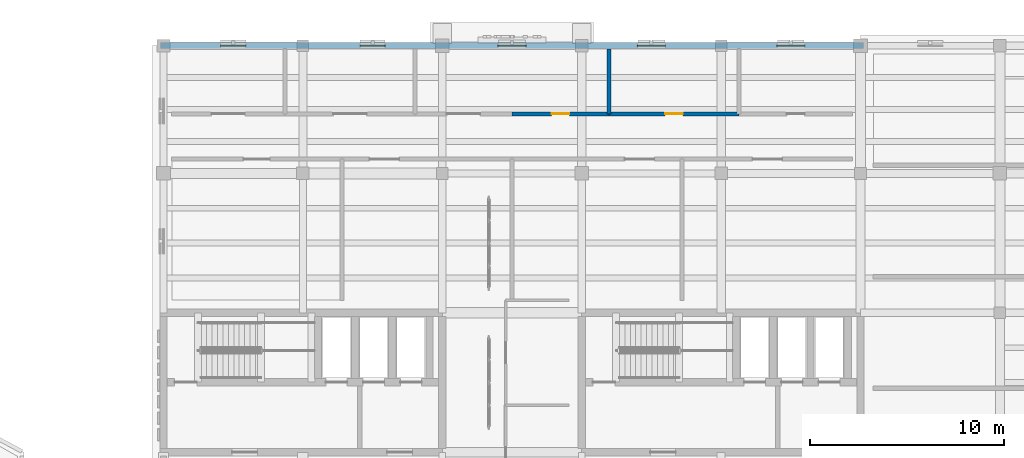
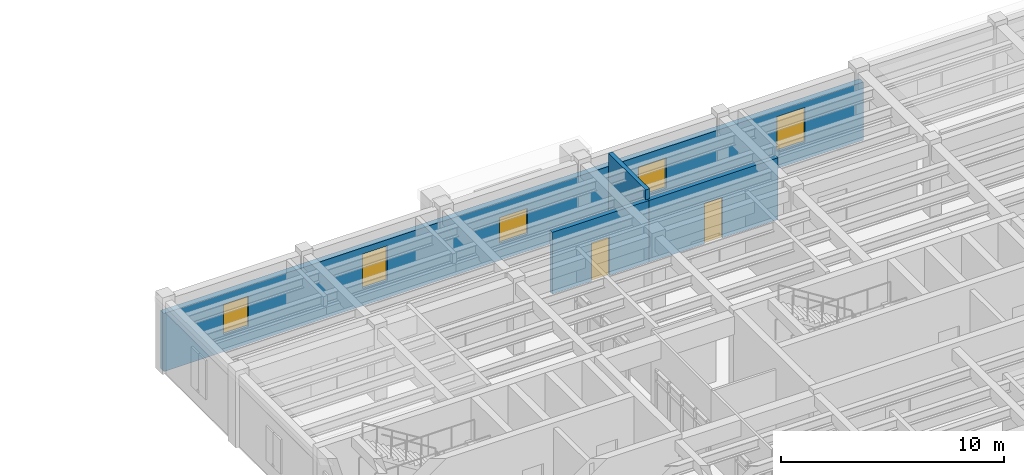
# One storey, part 50 of 66: 5 windows, 4 walls, 2 doors, 7 openings.
"""IFC4 building model written with IfcOpenShell, lengths in metres."""

import ifcopenshell
import ifcopenshell.guid

model = None  # the IFC model being written
_history = None  # IfcOwnerHistory: only IFC2X3 demands one
_inside = {}  # id of a spatial element -> (the spatial element, [elements in it])
_under = {}  # id of a project, library or spatial element -> (it, [spatial elements below it])
_declared = {}  # id of a project -> (the project, [libraries it declares])
_typed = {}  # id of a type object -> (the type object, [elements of that type])
_made_of = {}  # id of a material, layer set ... -> (it, [elements and type objects made of it])


def new_model(schema):
    """Start an empty IFC model of exactly this schema.

    Asked for "IFC4X3", IfcOpenShell would pick the latest addendum, in which some entities
    have other attributes; the version numbers below select the first issue.
    IFC2X3 requires an IfcOwnerHistory on every rooted entity: one is made here for all.
    """
    global model, _history
    if schema == "IFC4X3":
        model = ifcopenshell.file(schema_version=(4, 3, 0, 0))
    else:
        model = ifcopenshell.file(schema=schema)
    _inside.clear()
    _under.clear()
    _declared.clear()
    _typed.clear()
    _made_of.clear()
    _history = None
    if model.schema == "IFC2X3":
        org = make("IfcOrganization", Name="unknown")
        user = make(
            "IfcPersonAndOrganization",
            ThePerson=make("IfcPerson", FamilyName="unknown"),
            TheOrganization=org,
        )
        app = make(
            "IfcApplication",
            ApplicationDeveloper=org,
            Version="unknown",
            ApplicationFullName="unknown",
            ApplicationIdentifier="unknown",
        )
        _history = make(
            "IfcOwnerHistory",
            OwningUser=user,
            OwningApplication=app,
            ChangeAction="ADDED",
            CreationDate=0,
        )
    return model


def make(cls, **values):
    """One entity of the class cls with the attributes given. An attribute that is None is left unset."""
    return model.create_entity(
        cls, **{name: value for name, value in values.items() if value is not None}
    )


def rooted(cls, **values):
    """An entity with a GlobalId (a new one), such as an element, a storey or a relation."""
    return make(cls, GlobalId=ifcopenshell.guid.new(), OwnerHistory=_history, **values)


def si_unit(unit_type, name, prefix=None):
    """IfcSIUnit, for example si_unit("LENGTHUNIT", "METRE", prefix="MILLI")."""
    return make("IfcSIUnit", UnitType=unit_type, Prefix=prefix, Name=name)


def assignment(units):
    """IfcUnitAssignment: the units of a project."""
    return None if units is None else make("IfcUnitAssignment", Units=units)


def point(xyz):
    """IfcCartesianPoint."""
    return None if xyz is None else make("IfcCartesianPoint", Coordinates=xyz)


def direction(xyz):
    """IfcDirection."""
    return None if xyz is None else make("IfcDirection", DirectionRatios=xyz)


def frame(location, z_axis=None, x_axis=None):
    """IfcAxis2Placement3D, a coordinate frame: its origin and axes. An axis left out is left unset."""
    return make(
        "IfcAxis2Placement3D",
        Location=point(location),
        Axis=direction(z_axis),
        RefDirection=direction(x_axis),
    )


def frame_2d(location, x_axis=None):
    """IfcAxis2Placement2D, a coordinate frame in the plane: its origin and x axis."""
    return make(
        "IfcAxis2Placement2D", Location=point(location), RefDirection=direction(x_axis)
    )


def origin():
    """The frame at (0, 0, 0) with its axes left unset."""
    return frame((0.0, 0.0, 0.0))


def place(relative_to, where):
    """IfcLocalPlacement: puts the frame where relative to a parent placement (None: the world)."""
    return make(
        "IfcLocalPlacement", PlacementRelTo=relative_to, RelativePlacement=where
    )


def context(
    kind, dimensions, precision=None, world=None, true_north=None, identifier=None
):
    """IfcGeometricRepresentationContext, for example the 3D "Model" context."""
    return make(
        "IfcGeometricRepresentationContext",
        ContextIdentifier=identifier,
        ContextType=kind,
        CoordinateSpaceDimension=dimensions,
        Precision=precision,
        WorldCoordinateSystem=world,
        TrueNorth=true_north,
    )


def subcontext(parent, identifier, kind, view, scale=None):
    """IfcGeometricRepresentationSubContext, for example "Body" below "Model"."""
    return make(
        "IfcGeometricRepresentationSubContext",
        ContextIdentifier=identifier,
        ContextType=kind,
        ParentContext=parent,
        TargetScale=scale,
        TargetView=view,
    )


def project(units=None, contexts=None):
    """IfcProject with its units and contexts."""
    return rooted(
        "IfcProject",
        Name="project",
        RepresentationContexts=contexts,
        UnitsInContext=assignment(units),
    )


def spatial(cls, under=None, at=None, **own):
    """A site, building, storey or space (cls), placed at a placement, below another one or the project."""
    s = rooted(cls, ObjectPlacement=at, **own)
    if under is not None:
        _under.setdefault(under.id(), (under, []))[1].append(s)
    return s


def profile(cls, at=None, kind="AREA", **sizes):
    """A parametric profile (cls). Its sizes go by their IFC names, for example OverallWidth=200.0."""
    return make(cls, ProfileType=kind, Position=at, **sizes)


def rectangle(**sizes):
    """IfcRectangleProfileDef."""
    return profile("IfcRectangleProfileDef", **sizes)


def extrude(swept, where, along, depth):
    """IfcExtrudedAreaSolid: the profile swept, set in the frame where, extruded along a direction by depth."""
    return make(
        "IfcExtrudedAreaSolid",
        SweptArea=swept,
        Position=where,
        ExtrudedDirection=direction(along),
        Depth=depth,
    )


def shape(context_of_items, identifier, shape_type, items):
    """IfcShapeRepresentation: the items that make up one representation, for example the "Body"."""
    return make(
        "IfcShapeRepresentation",
        ContextOfItems=context_of_items,
        RepresentationIdentifier=identifier,
        RepresentationType=shape_type,
        Items=items,
    )


def material(Name=None, Category=None):
    """IfcMaterial."""
    return make("IfcMaterial", Name=Name, Category=Category)


def layer(
    of_material, thickness, ventilated=None, Name=None, Category=None, Priority=None
):
    """IfcMaterialLayer: one layer of a wall or slab, of a material (None: an air gap)."""
    return make(
        "IfcMaterialLayer",
        Material=of_material,
        LayerThickness=thickness,
        IsVentilated=ventilated,
        Name=Name,
        Category=Category,
        Priority=Priority,
    )


def layer_set(layers, Name=None):
    """IfcMaterialLayerSet."""
    return make("IfcMaterialLayerSet", MaterialLayers=layers, LayerSetName=Name)


def made_of(thing, what):
    """Note that an element or type object is made of a material, layer set ...; save() writes the relation."""
    if what is not None:
        _made_of.setdefault(what.id(), (what, []))[1].append(thing)
    return thing


def type_object(cls, material=None, **own):
    """A type object (cls), such as IfcWallType, which elements share."""
    return made_of(rooted(cls, **own), material)


def element(
    cls,
    number,
    at=None,
    inside=None,
    cuts=None,
    type_object=None,
    material=None,
    context=None,
    identifier="Body",
    shape_type=None,
    held_by="IfcProductDefinitionShape",
    body=None,
    shapes=None,
    **own,
):
    """One element of the class cls, such as IfcWall. Its Tag is "e" and its number.

    at: its placement. inside: the storey or other place that contains it. cuts: it is an
    opening in that element (IfcRelVoidsElement). A single representation is given by context,
    identifier, shape_type and body (its items); several are given by shapes. held_by: the class
    of the entity that holds the representations. save() writes the other relations.
    """
    e = rooted(cls, Tag="e%d" % number, ObjectPlacement=at, **own)
    if body is not None:
        shapes = [shape(context, identifier, shape_type, body)]
    if shapes is not None:
        e.Representation = make(held_by, Representations=shapes)
    if inside is not None:
        _inside.setdefault(inside.id(), (inside, []))[1].append(e)
    if cuts is not None:
        rooted(
            "IfcRelVoidsElement", RelatingBuildingElement=cuts, RelatedOpeningElement=e
        )
    if type_object is not None:
        _typed.setdefault(type_object.id(), (type_object, []))[1].append(e)
    return made_of(e, material)


def fill(opening, filler):
    """IfcRelFillsElement: the door or window that sits in an opening."""
    return rooted(
        "IfcRelFillsElement",
        RelatingOpeningElement=opening,
        RelatedBuildingElement=filler,
    )


def aggregate(whole, parts):
    """IfcRelAggregates: a whole, such as a stair, and the parts it consists of."""
    return rooted("IfcRelAggregates", RelatingObject=whole, RelatedObjects=parts)


def save(model, path):
    """Write the relations noted so far, then the file.

    IfcRelAggregates (storeys below a building ...), IfcRelContainedInSpatialStructure (elements
    in a storey), IfcRelDefinesByType, IfcRelAssociatesMaterial and IfcRelDeclares: one each for
    every whole, place, type object, material and project.
    """
    for whole, parts in _under.values():
        aggregate(whole, parts)
    for where, things in _inside.values():
        rooted(
            "IfcRelContainedInSpatialStructure",
            RelatedElements=things,
            RelatingStructure=where,
        )
    for kind, things in _typed.values():
        rooted("IfcRelDefinesByType", RelatedObjects=things, RelatingType=kind)
    for what, things in _made_of.values():
        rooted("IfcRelAssociatesMaterial", RelatedObjects=things, RelatingMaterial=what)
    for by, libraries in _declared.values():
        rooted("IfcRelDeclares", RelatingContext=by, RelatedDefinitions=libraries)
    model.write(path)


model = new_model("IFC4")

# Units and contexts
model_context = context("Model", 3, precision=1e-05, world=origin(), true_north=direction((0.0, 1.0)))
body_context = subcontext(model_context, "Body", "Model", "MODEL_VIEW")
ifc_project = project(units=[si_unit("LENGTHUNIT", "METRE"), si_unit("AREAUNIT", "SQUARE_METRE"), si_unit("VOLUMEUNIT", "CUBIC_METRE"), si_unit("PLANEANGLEUNIT", "RADIAN"), si_unit("MASSUNIT", "GRAM", prefix="KILO")], contexts=[model_context])

# Site, building, storey
site_placement = place(None, origin())
site = spatial("IfcSite", under=ifc_project, at=site_placement, CompositionType="ELEMENT")
building_placement = place(site_placement, origin())
building = spatial("IfcBuilding", under=site, at=building_placement, Name="Mithqara Police Headquarters", CompositionType="ELEMENT")
storey_placement = place(building_placement, frame((0.0, 0.0, 9.60009765625)))
storey = spatial("IfcBuildingStorey", under=building, at=storey_placement, Name="L02", CompositionType="ELEMENT", Elevation=9.60009765625)

# Wall, openings, windows
ifc_material_1 = material(Name="Ochre masonry cavity wall, 35 MPa", Category="masonry")
ifc_layer_1 = layer(ifc_material_1, 0.300048828125, Name="Ochre masonry cavity wall, 35 MPa")
ifc_layer_set_1 = layer_set([ifc_layer_1], Name="Ochre masonry cavity wall, 35 MPa")
wall_type_1 = type_object("IfcWallType", Name="EXT WALL OCHRE BRICK300", PredefinedType="SOLIDWALL", material=ifc_layer_set_1)
wall_1_placement = place(storey_placement, frame((144.75, 114.0, 0.0), z_axis=(0.0, 0.0, 1.0), x_axis=(-1.0, 0.0, 0.0)))
wall_1 = element("IfcWall", 1, at=wall_1_placement, inside=storey, type_object=wall_type_1, Name="L02 Exterior Wall 10.1", PredefinedType="SOLIDWALL", context=body_context, shape_type="SweptSolid", body=[
    extrude(rectangle(XDim=36.300048828125, YDim=0.300048828125, at=frame_2d((18.14990234375, 0.0))), origin(), (0.0, 0.0, 1.0), 3.18994140625),
])
opening_1_placement = place(wall_1_placement, frame((31.89990234375, 0.0, 0.949951171875)))
opening_1 = element("IfcOpeningElement", 2, at=opening_1_placement, cuts=wall_1, Name="Opening W-17", PredefinedType="OPENING", context=body_context, shape_type="SweptSolid", body=[
    extrude(rectangle(XDim=1.300048828125, YDim=1.64990234375, at=frame_2d((0.64990234375, 0.824951171875))), frame((0.0, 0.16015625, 0.0), z_axis=(0.0, -1.0, 0.0), x_axis=(1.0, 0.0, 0.0)), (0.0, 0.0, 1.0), 0.320068359375),
])
opening_2_placement = place(wall_1_placement, frame((24.699951171875, 0.0, 0.949951171875)))
opening_2 = element("IfcOpeningElement", 3, at=opening_2_placement, cuts=wall_1, Name="Opening W-18", PredefinedType="OPENING", context=body_context, shape_type="SweptSolid", body=[
    extrude(rectangle(XDim=1.300048828125, YDim=1.89990234375, at=frame_2d((0.64990234375, 0.949951171875))), frame((0.0, 0.16015625, 0.0), z_axis=(0.0, -1.0, 0.0), x_axis=(1.0, 0.0, 0.0)), (0.0, 0.0, 1.0), 0.320068359375),
])
opening_3_placement = place(wall_1_placement, frame((17.425048828125, 0.0, 0.949951171875)))
opening_3 = element("IfcOpeningElement", 4, at=opening_3_placement, cuts=wall_1, Name="Opening W-21", PredefinedType="OPENING", context=body_context, shape_type="SweptSolid", body=[
    extrude(rectangle(XDim=1.449951171875, YDim=1.39990234375, at=frame_2d((0.72509765625, 0.699951171875))), frame((0.0, 0.16015625, 0.0), z_axis=(0.0, -1.0, 0.0), x_axis=(1.0, 0.0, 0.0)), (0.0, 0.0, 1.0), 0.320068359375),
])
opening_4_placement = place(wall_1_placement, frame((10.22509765625, 0.0, 0.949951171875)))
opening_4 = element("IfcOpeningElement", 5, at=opening_4_placement, cuts=wall_1, Name="Opening W-22", PredefinedType="OPENING", context=body_context, shape_type="SweptSolid", body=[
    extrude(rectangle(XDim=1.449951171875, YDim=1.64990234375, at=frame_2d((0.72509765625, 0.824951171875))), frame((0.0, 0.16015625, 0.0), z_axis=(0.0, -1.0, 0.0), x_axis=(1.0, 0.0, 0.0)), (0.0, 0.0, 1.0), 0.320068359375),
])
opening_5_placement = place(wall_1_placement, frame((3.02490234375, 0.0, 0.949951171875)))
opening_5 = element("IfcOpeningElement", 6, at=opening_5_placement, cuts=wall_1, Name="Opening W-23", PredefinedType="OPENING", context=body_context, shape_type="SweptSolid", body=[
    extrude(rectangle(XDim=1.449951171875, YDim=1.89990234375, at=frame_2d((0.72509765625, 0.949951171875))), frame((0.0, 0.16015625, 0.0), z_axis=(0.0, -1.0, 0.0), x_axis=(1.0, 0.0, 0.0)), (0.0, 0.0, 1.0), 0.320068359375),
])
ifc_material_2 = material(Name="Spectrally selective double low-e glass", Category="glass")
window_type_1 = type_object("IfcWindowType", Name="WINDOW 1300X1650", PartitioningType="SINGLE_PANEL", PredefinedType="WINDOW", material=ifc_material_2)
window_1_placement = place(opening_1_placement, origin())
window_1 = element("IfcWindow", 7, at=window_1_placement, inside=storey, type_object=window_type_1, Name="L02 Command Block Screened Window 10.1", OverallHeight=1.64990234375, OverallWidth=1.300048828125, PartitioningType="SINGLE_PANEL", PredefinedType="WINDOW", context=body_context, shape_type="SweptSolid", body=[
    extrude(rectangle(XDim=1.300048828125, YDim=1.64990234375, at=frame_2d((0.64990234375, 0.824951171875))), frame((0.0, 0.030029296875, 0.0), z_axis=(0.0, -1.0, 0.0), x_axis=(1.0, 0.0, 0.0)), (0.0, 0.0, 1.0), 0.06005859375),
])
fill(opening_1, window_1)
window_type_2 = type_object("IfcWindowType", Name="WINDOW 1300X1900", PartitioningType="SINGLE_PANEL", PredefinedType="WINDOW", material=ifc_material_2)
window_2_placement = place(opening_2_placement, origin())
window_2 = element("IfcWindow", 8, at=window_2_placement, inside=storey, type_object=window_type_2, Name="L02 Command Block Screened Window 10.2", OverallHeight=1.89990234375, OverallWidth=1.300048828125, PartitioningType="SINGLE_PANEL", PredefinedType="WINDOW", context=body_context, shape_type="SweptSolid", body=[
    extrude(rectangle(XDim=1.300048828125, YDim=1.89990234375, at=frame_2d((0.64990234375, 0.949951171875))), frame((0.0, 0.030029296875, 0.0), z_axis=(0.0, -1.0, 0.0), x_axis=(1.0, 0.0, 0.0)), (0.0, 0.0, 1.0), 0.06005859375),
])
fill(opening_2, window_2)
window_type_3 = type_object("IfcWindowType", Name="WINDOW 1450X1400", PartitioningType="SINGLE_PANEL", PredefinedType="WINDOW", material=ifc_material_2)
window_3_placement = place(opening_3_placement, origin())
window_3 = element("IfcWindow", 9, at=window_3_placement, inside=storey, type_object=window_type_3, Name="L02 Command Block Screened Window 10.3", OverallHeight=1.39990234375, OverallWidth=1.449951171875, PartitioningType="SINGLE_PANEL", PredefinedType="WINDOW", context=body_context, shape_type="SweptSolid", body=[
    extrude(rectangle(XDim=1.449951171875, YDim=1.39990234375, at=frame_2d((0.72509765625, 0.699951171875))), frame((0.0, 0.030029296875, 0.0), z_axis=(0.0, -1.0, 0.0), x_axis=(1.0, 0.0, 0.0)), (0.0, 0.0, 1.0), 0.06005859375),
])
fill(opening_3, window_3)
window_type_4 = type_object("IfcWindowType", Name="WINDOW 1450X1650", PartitioningType="SINGLE_PANEL", PredefinedType="WINDOW", material=ifc_material_2)
window_4_placement = place(opening_4_placement, origin())
window_4 = element("IfcWindow", 10, at=window_4_placement, inside=storey, type_object=window_type_4, Name="L02 Command Block Screened Window 10.4", OverallHeight=1.64990234375, OverallWidth=1.449951171875, PartitioningType="SINGLE_PANEL", PredefinedType="WINDOW", context=body_context, shape_type="SweptSolid", body=[
    extrude(rectangle(XDim=1.449951171875, YDim=1.64990234375, at=frame_2d((0.72509765625, 0.824951171875))), frame((0.0, 0.030029296875, 0.0), z_axis=(0.0, -1.0, 0.0), x_axis=(1.0, 0.0, 0.0)), (0.0, 0.0, 1.0), 0.06005859375),
])
fill(opening_4, window_4)
window_type_5 = type_object("IfcWindowType", Name="WINDOW 1450X1900", PartitioningType="SINGLE_PANEL", PredefinedType="WINDOW", material=ifc_material_2)
window_5_placement = place(opening_5_placement, origin())
window_5 = element("IfcWindow", 11, at=window_5_placement, inside=storey, type_object=window_type_5, Name="L02 Command Block Screened Window 10.5", OverallHeight=1.89990234375, OverallWidth=1.449951171875, PartitioningType="SINGLE_PANEL", PredefinedType="WINDOW", context=body_context, shape_type="SweptSolid", body=[
    extrude(rectangle(XDim=1.449951171875, YDim=1.89990234375, at=frame_2d((0.72509765625, 0.949951171875))), frame((0.0, 0.030029296875, 0.0), z_axis=(0.0, -1.0, 0.0), x_axis=(1.0, 0.0, 0.0)), (0.0, 0.0, 1.0), 0.06005859375),
])
fill(opening_5, window_5)

# Wall, opening, door
ifc_material_3 = material(Name="Concrete C40/50", Category="concrete")
ifc_layer_2 = layer(ifc_material_3, 0.2099609375, Name="Concrete C40/50")
ifc_layer_set_2 = layer_set([ifc_layer_2], Name="Concrete C40/50")
wall_type_2 = type_object("IfcWallType", Name="PART WALL 210", PredefinedType="PARTITIONING", material=ifc_layer_set_2)
wall_2_placement = place(storey_placement, frame((126.60009765625, 110.47998046875, 0.0), z_axis=(0.0, 0.0, 1.0), x_axis=(1.0, 0.0, 0.0)))
wall_2 = element("IfcWall", 12, at=wall_2_placement, inside=storey, type_object=wall_type_2, Name="L02 Corridor Wall Case Analysis Room", PredefinedType="PARTITIONING", context=body_context, shape_type="SweptSolid", body=[
    extrude(rectangle(XDim=5.010009765625, YDim=0.2099609375, at=frame_2d((2.5048828125, 0.0))), origin(), (0.0, 0.0, 1.0), 3.389892578125),
])
opening_6_placement = place(wall_2_placement, frame((2.044921875, 0.0, 0.0)))
opening_6 = element("IfcOpeningElement", 13, at=opening_6_placement, cuts=wall_2, Name="Opening D-01", PredefinedType="OPENING", context=body_context, shape_type="SweptSolid", body=[
    extrude(rectangle(XDim=0.919921875, YDim=2.10009765625, at=frame_2d((0.4599609375, 1.050048828125))), frame((0.0, 0.114990234375, 0.0), z_axis=(0.0, -1.0, 0.0), x_axis=(1.0, 0.0, 0.0)), (0.0, 0.0, 1.0), 0.22998046875),
])
ifc_material_4 = material(Name="Acoustic solid-core timber leaf", Category="wood")
door_type_1 = type_object("IfcDoorType", Name="INT DOOR 920X2100", OperationType="NOTDEFINED", PredefinedType="DOOR", material=ifc_material_4)
door_1_placement = place(opening_6_placement, origin())
door_1 = element("IfcDoor", 14, at=door_1_placement, inside=storey, type_object=door_type_1, Name="Case Analysis Room Entry Door", OperationType="SINGLE_SWING_RIGHT", OverallHeight=2.10009765625, OverallWidth=0.919921875, PredefinedType="DOOR", context=body_context, shape_type="SweptSolid", body=[
    extrude(rectangle(XDim=0.919921875, YDim=2.10009765625, at=frame_2d((0.4599609375, 1.050048828125))), frame((0.0, 0.02490234375, 0.0), z_axis=(0.0, -1.0, 0.0), x_axis=(1.0, 0.0, 0.0)), (0.0, 0.0, 1.0), 0.050048828125),
])
fill(opening_6, door_1)

# Wall
wall_3_placement = place(storey_placement, frame((131.610107421875, 110.47998046875, 0.0), z_axis=(0.0, 0.0, 1.0), x_axis=(0.0, 1.0, 0.0)))
element("IfcWall", 15, at=wall_3_placement, inside=storey, type_object=wall_type_2, Name="L02 Room Partition Case Analysis Room", PredefinedType="PARTITIONING", context=body_context, shape_type="SweptSolid", body=[
    extrude(rectangle(XDim=3.340087890625, YDim=0.2099609375, at=frame_2d((1.669921875, 0.0))), origin(), (0.0, 0.0, 1.0), 3.93994140625),
])

# Wall, opening, door
wall_4_placement = place(storey_placement, frame((131.610107421875, 110.47998046875, 0.0), z_axis=(0.0, 0.0, 1.0), x_axis=(1.0, 0.0, 0.0)))
wall_4 = element("IfcWall", 16, at=wall_4_placement, inside=storey, type_object=wall_type_2, Name="L02 Corridor Wall Incident Briefing Room", PredefinedType="PARTITIONING", context=body_context, shape_type="SweptSolid", body=[
    extrude(rectangle(XDim=6.7099609375, YDim=0.2099609375, at=frame_2d((3.35498046875, 0.0))), origin(), (0.0, 0.0, 1.0), 3.389892578125),
])
opening_7_placement = place(wall_4_placement, frame((2.89501953125, 0.0, 0.0)))
opening_7 = element("IfcOpeningElement", 17, at=opening_7_placement, cuts=wall_4, Name="Opening D-02", PredefinedType="OPENING", context=body_context, shape_type="SweptSolid", body=[
    extrude(rectangle(XDim=0.919921875, YDim=2.219970703125, at=frame_2d((0.4599609375, 1.10986328125))), frame((0.0, 0.114990234375, 0.0), z_axis=(0.0, -1.0, 0.0), x_axis=(1.0, 0.0, 0.0)), (0.0, 0.0, 1.0), 0.22998046875),
])
door_type_2 = type_object("IfcDoorType", Name="INT DOOR 920X2220", OperationType="NOTDEFINED", PredefinedType="DOOR", material=ifc_material_4)
door_2_placement = place(opening_7_placement, origin())
door_2 = element("IfcDoor", 18, at=door_2_placement, inside=storey, type_object=door_type_2, Name="Incident Briefing Room Entry Door", OperationType="SINGLE_SWING_LEFT", OverallHeight=2.219970703125, OverallWidth=0.919921875, PredefinedType="DOOR", context=body_context, shape_type="SweptSolid", body=[
    extrude(rectangle(XDim=0.919921875, YDim=2.219970703125, at=frame_2d((0.4599609375, 1.10986328125))), frame((0.0, 0.02490234375, 0.0), z_axis=(0.0, -1.0, 0.0), x_axis=(1.0, 0.0, 0.0)), (0.0, 0.0, 1.0), 0.050048828125),
])
fill(opening_7, door_2)

save(model, "model.ifc")
